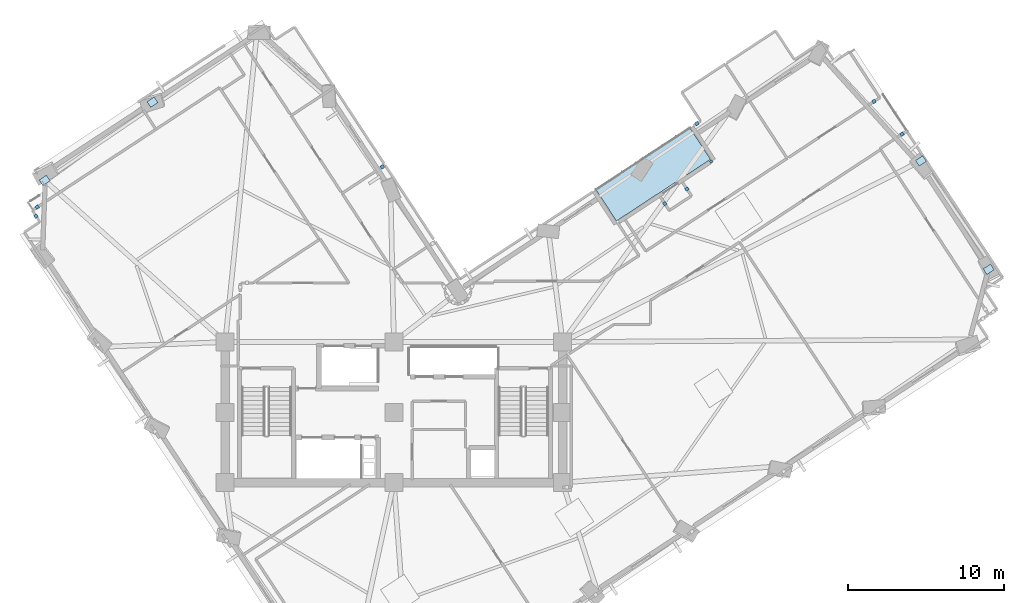
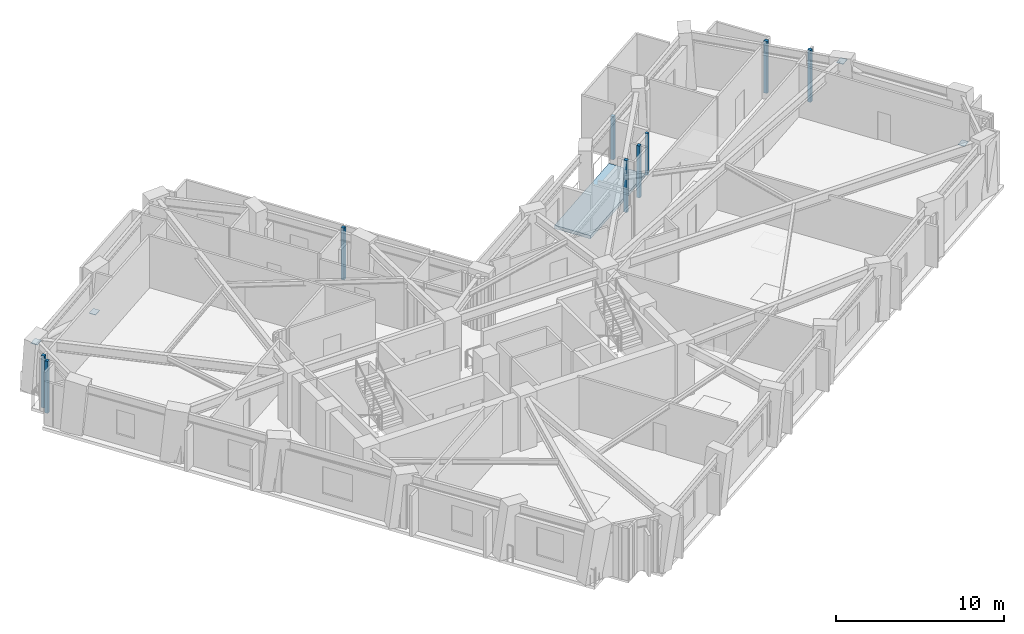
# One storey, part 4 of 14: 13 plates, 1 slab.
"""IFC4 building model written with IfcOpenShell, lengths in metres."""

from ifc_helpers import new_model, si_unit, direction, frame, origin, origin_2d, place, context, subcontext, project, spatial, polyline, rectangle, outline, extrude, material, layer, layer_set, type_object, element, save


model = new_model("IFC4")

# Units and contexts
model_context = context("Model", 3, precision=1e-05, world=origin(), true_north=direction((0.0, 1.0)))
body_context = subcontext(model_context, "Body", "Model", "MODEL_VIEW")
ifc_project = project(units=[si_unit("LENGTHUNIT", "METRE"), si_unit("AREAUNIT", "SQUARE_METRE"), si_unit("VOLUMEUNIT", "CUBIC_METRE"), si_unit("PLANEANGLEUNIT", "RADIAN"), si_unit("MASSUNIT", "GRAM", prefix="KILO")], contexts=[model_context])

# Site, building, storey
site_placement = place(None, origin())
site = spatial("IfcSite", under=ifc_project, at=site_placement, CompositionType="ELEMENT")
building_placement = place(site_placement, origin())
building = spatial("IfcBuilding", under=site, at=building_placement, Name="Gaonmaruhae Medical Tower", CompositionType="ELEMENT")
storey_placement = place(building_placement, frame((0.0, 0.0, 165.800048828125)))
storey = spatial("IfcBuildingStorey", under=building, at=storey_placement, Name="L39", CompositionType="ELEMENT", Elevation=165.800048828125)

# Plates
ifc_material_1 = material(Name="Steel HSA650 (650 MPa)", Category="steel")
ifc_layer_1 = layer(ifc_material_1, 0.028076171875)
ifc_layer_set_1 = layer_set([ifc_layer_1], Name="Steel HSA650 (650 MPa)")
plate_type_1 = type_object("IfcPlateType", Name="GP-02 Tube Brace End Cap Gusset Plate", PredefinedType="USERDEFINED", material=ifc_layer_set_1)
for number, where, z_axis, x_axis, name in (
    (1, (62.877197265625, 21.454833984375, 0.23583984375), (0.0, 0.0, 1.0), (0.836286155848, 0.54829322952, 0.0), "L39 Gusset Cap Plate PLT-L39-PBR-E01A"),
    (2, (58.54443359375, 28.391845703125, 3.51611328125), (0.0, 0.0, 1.0), (0.827080574275, 0.562083377852, 0.0), "L39 Gusset Cap Plate PLT-L39-PBR-E01B"),
    (3, (9.345947265625, 32.156005859375, 0.23583984375), (0.0, 0.0, 1.0), (0.836286155848, 0.54829322952, 0.0), "L39 Gusset Cap Plate PLT-L39-PBR-N02A"),
    (4, (2.4453125, 27.143798828125, 3.51611328125), (0.0, 0.0, 1.0), (0.827080574275, 0.562083377852, 0.0), "L39 Gusset Cap Plate PLT-L39-PBR-N02B"),
):
    element("IfcPlate", number, at=place(storey_placement, frame(where, z_axis=z_axis, x_axis=x_axis)), inside=storey, type_object=plate_type_1, Name=name, ObjectType="GUSSET_PLATE", PredefinedType="USERDEFINED", context=body_context, shape_type="SweptSolid", body=[
        extrude(rectangle(XDim=0.56005859375, YDim=0.43994140625, at=origin_2d()), origin(), (0.0, 0.0, 1.0), 0.028076171875),
    ])
ifc_material_2 = material(Name="Anodised aluminium 6063-T6", Category="aluminium")
ifc_layer_2 = layer(ifc_material_2, 0.011962890625)
ifc_layer_set_2 = layer_set([ifc_layer_2], Name="Anodised aluminium 6063-T6")
plate_type_2 = type_object("IfcPlateType", Name="PP-01 Interior Partition Corner Stiffener Plate", PredefinedType="SHEET", material=ifc_layer_set_2)
plate_1_placement = place(storey_placement, frame((45.113037109375, 28.3544921875, 0.0), z_axis=(0.0, 0.0, 1.0), x_axis=(0.836286155848, 0.54829322952, 0.0)))
element("IfcPlate", 5, at=plate_1_placement, inside=storey, type_object=plate_type_2, Name="L39 Partition End Jamb Post Plate PLT-L39-ENDP-TERB-1", PredefinedType="SHEET", context=body_context, shape_type="SweptSolid", body=[
    extrude(rectangle(XDim=0.179931640625, YDim=0.179931640625, at=origin_2d()), origin(), (0.0, 0.0, 1.0), 3.044921875),
])
for number, where, z_axis, x_axis, name in (
    (6, (1.87744140625, 24.85302734375, 0.0), (0.0, 0.0, 1.0), (-0.547563223493, 0.836764313459, 0.0), "L39 Partition Corner Stiffener Plate PLT-L39-JGP-PW047"),
    (7, (1.971435546875, 25.4375, 0.0), (0.0, 0.0, 1.0), (0.836458365974, 0.548030475423, 0.0), "L39 Partition Corner Stiffener Plate PLT-L39-JGP-PW048"),
    (8, (42.137939453125, 25.659912109375, 0.0), (0.0, 0.0, 1.0), (0.548118066133, -0.836400971771, 0.0), "L39 Partition Corner Stiffener Plate PLT-L39-JGP-PW075"),
    (9, (43.56005859375, 26.592041015625, 0.0), (0.0, 0.0, 1.0), (-0.548118066133, 0.836400971771, 0.0), "L39 Partition Corner Stiffener Plate PLT-L39-JGP-PW077"),
):
    element("IfcPlate", number, at=place(storey_placement, frame(where, z_axis=z_axis, x_axis=x_axis)), inside=storey, type_object=plate_type_2, Name=name, PredefinedType="SHEET", context=body_context, shape_type="SweptSolid", body=[
        extrude(rectangle(XDim=0.219970703125, YDim=0.219970703125, at=origin_2d()), origin(), (0.0, 0.0, 1.0), 3.780029296875),
    ])
plate_2_placement = place(storey_placement, frame((44.19140625, 30.787109375, 0.0), z_axis=(0.0, 0.0, 1.0), x_axis=(0.835922330106, 0.548847754874, 0.0)))
element("IfcPlate", 10, at=plate_2_placement, inside=storey, type_object=plate_type_2, Name="L39 Partition Corner Stiffener Plate PLT-L39-JGP-PW078", PredefinedType="SHEET", context=body_context, shape_type="SweptSolid", body=[
    extrude(rectangle(XDim=0.219970703125, YDim=0.219970703125, at=origin_2d()), origin(), (0.0, 0.0, 1.0), 3.14501953125),
])
for number, where, z_axis, x_axis, name in (
    (11, (55.535400390625, 32.197998046875, 0.0), (0.0, 0.0, 1.0), (-0.83622873413, -0.548380802195, 0.0), "L39 Partition Corner Stiffener Plate PLT-L39-JGP-PW083"),
    (12, (24.06103515625, 28.009521484375, 0.0), (0.0, 0.0, 1.0), (0.835912750779, 0.548862344387, 0.0), "L39 Partition Corner Stiffener Plate PLT-L39-JGP-PW089"),
    (13, (57.33154296875, 30.099609375, 0.0), (0.0, 0.0, 1.0), (0.836420104191, 0.548088869897, 0.0), "L39 Partition Corner Stiffener Plate PLT-L39-JGP-PW110"),
):
    element("IfcPlate", number, at=place(storey_placement, frame(where, z_axis=z_axis, x_axis=x_axis)), inside=storey, type_object=plate_type_2, Name=name, PredefinedType="SHEET", context=body_context, shape_type="SweptSolid", body=[
        extrude(rectangle(XDim=0.219970703125, YDim=0.219970703125, at=origin_2d()), origin(), (0.0, 0.0, 1.0), 3.780029296875),
    ])

# Slab
ifc_material_3 = material(Name="Concrete C40/50", Category="concrete")
ifc_layer_3 = layer(ifc_material_3, 0.239990234375)
ifc_layer_set_3 = layer_set([ifc_layer_3], Name="Concrete C40/50")
slab_type = type_object("IfcSlabType", Name="TS-240 Sky Garden & Recovery Terrace Slab", PredefinedType="FLOOR", material=ifc_layer_set_3)
slab_placement = place(storey_placement, frame((0.0, 0.0, -0.239990234375)))
element("IfcSlab", 14, at=slab_placement, inside=storey, type_object=slab_type, Name="L39 Outdoor Recovery Terrace Slab", PredefinedType="FLOOR", context=body_context, shape_type="SweptSolid", body=[
    extrude(outline(polyline([(39.04833984375, 24.545654296875), (45.069580078125, 28.493408203125), (43.753662109375, 30.50048828125), (37.732421875, 26.552734375), (39.04833984375, 24.545654296875)])), origin(), (0.0, 0.0, 1.0), 0.239990234375),
])

save(model, "model.ifc")
